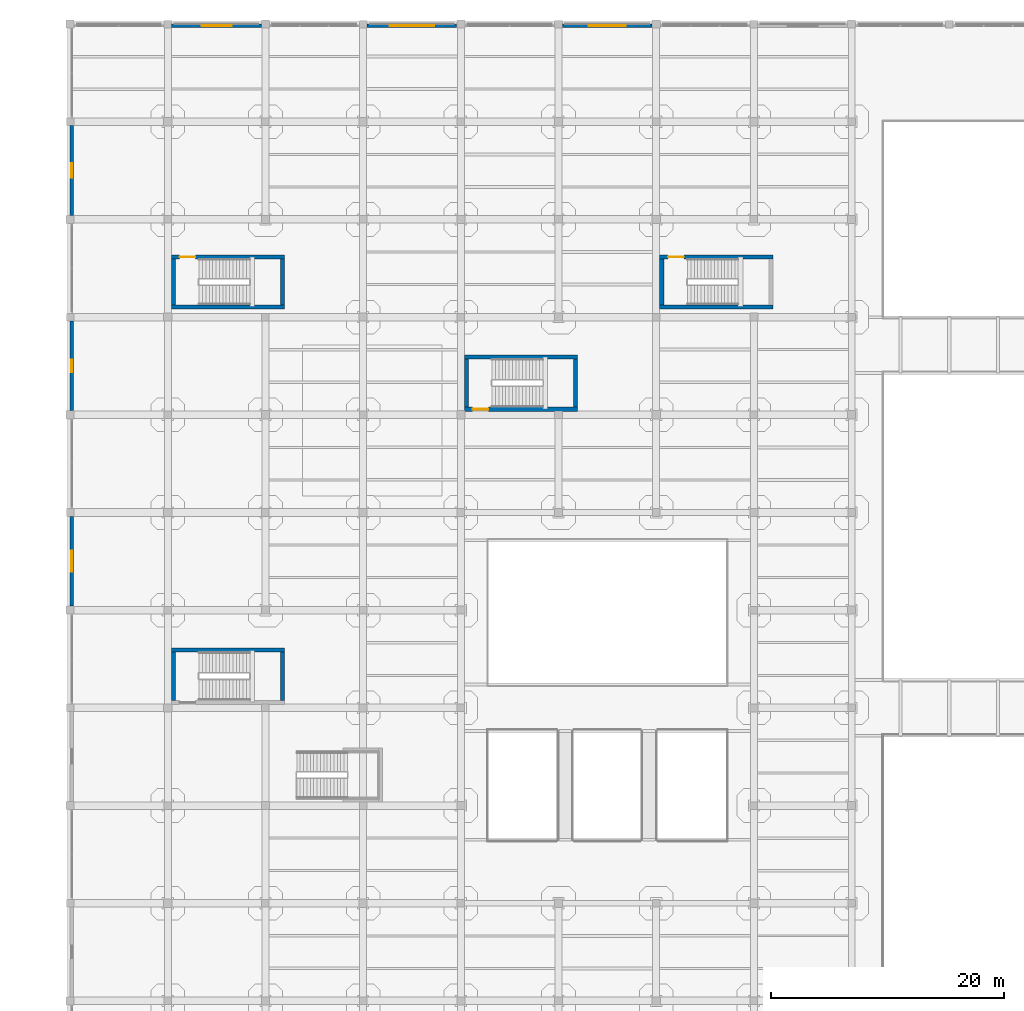
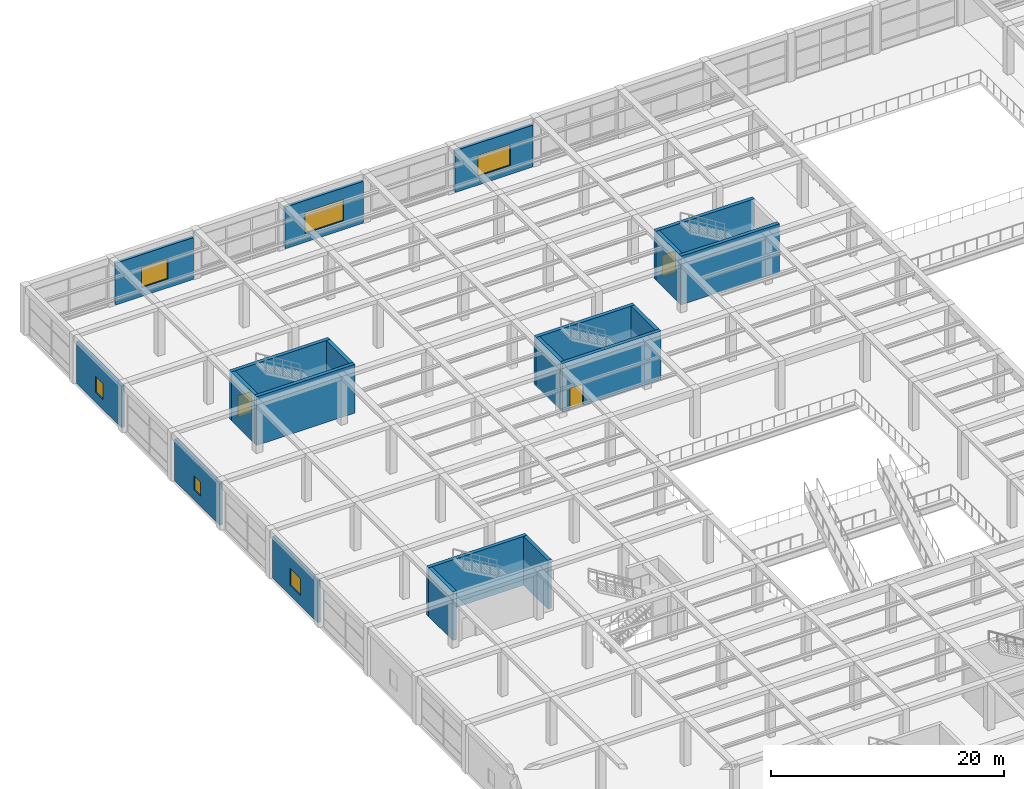
# One storey, part 79 of 96: 20 walls, 6 windows, 3 doors, 9 openings.
"""IFC4 building model written with IfcOpenShell, lengths in metres."""

from ifc_helpers import new_model, si_unit, direction, frame, frame_2d, origin, place, context, subcontext, project, spatial, rectangle, extrude, material, layer, layer_set, type_object, element, fill, save


model = new_model("IFC4")

# Units and contexts
model_context = context("Model", 3, precision=1e-05, world=origin(), true_north=direction((0.0, 1.0)))
body_context = subcontext(model_context, "Body", "Model", "MODEL_VIEW")
ifc_project = project(units=[si_unit("LENGTHUNIT", "METRE"), si_unit("AREAUNIT", "SQUARE_METRE"), si_unit("VOLUMEUNIT", "CUBIC_METRE"), si_unit("PLANEANGLEUNIT", "RADIAN"), si_unit("MASSUNIT", "GRAM", prefix="KILO")], contexts=[model_context])

# Site, building, storey
site_placement = place(None, origin())
site = spatial("IfcSite", under=ifc_project, at=site_placement, CompositionType="ELEMENT")
building_placement = place(site_placement, origin())
building = spatial("IfcBuilding", under=site, at=building_placement, Name="Almacenes y Pasaje Nevantli", CompositionType="ELEMENT")
storey_placement = place(building_placement, frame((0.0, 0.0, 6.0)))
storey = spatial("IfcBuildingStorey", under=building, at=storey_placement, Name="L02", CompositionType="ELEMENT", Elevation=6.0)

# Wall
ifc_material_1 = material(Name="Concrete C45/55", Category="concrete")
ifc_layer_1 = layer(ifc_material_1, 0.35009765625)
ifc_layer_set_1 = layer_set([ifc_layer_1], Name="Concrete C45/55")
wall_type_1 = type_object("IfcWallType", Name="WL-CORE-350", PredefinedType="SHEAR", material=ifc_layer_set_1)
wall_1_placement = place(storey_placement, frame((8.699951171875, 93.27490234375, 0.0), z_axis=(0.0, 0.0, 1.0), x_axis=(1.0, 0.0, 0.0)))
element("IfcWall", 1, at=wall_1_placement, inside=storey, type_object=wall_type_1, Name="L02 Exit Stair ST-03 South Core Shear Wall", PredefinedType="SHEAR", context=body_context, shape_type="SweptSolid", body=[
    extrude(rectangle(XDim=9.75, YDim=0.35009765625, at=frame_2d((4.875, 0.0))), origin(), (0.0, 0.0, 1.0), 5.10009765625),
])

# Wall, opening, door
wall_2_placement = place(storey_placement, frame((8.699951171875, 97.574951171875, 0.0), z_axis=(0.0, 0.0, 1.0), x_axis=(1.0, 0.0, 0.0)))
wall_2 = element("IfcWall", 2, at=wall_2_placement, inside=storey, type_object=wall_type_1, Name="L02 Exit Stair ST-03 North Core Shear Wall", PredefinedType="SHEAR", context=body_context, shape_type="SweptSolid", body=[
    extrude(rectangle(XDim=9.75, YDim=0.35009765625, at=frame_2d((4.875, 0.0))), origin(), (0.0, 0.0, 1.0), 5.10009765625),
])
opening_1_placement = place(wall_2_placement, frame((0.719970703125, 0.0, 0.0)))
opening_1 = element("IfcOpeningElement", 3, at=opening_1_placement, cuts=wall_2, Name="Opening SD-03-L02", PredefinedType="OPENING", context=body_context, shape_type="SweptSolid", body=[
    extrude(rectangle(XDim=1.35009765625, YDim=2.25, at=frame_2d((0.675048828125, 1.125))), frame((0.0, 0.18505859375, 0.0), z_axis=(0.0, -1.0, 0.0), x_axis=(1.0, 0.0, 0.0)), (0.0, 0.0, 1.0), 0.3701171875),
])
ifc_material_2 = material(Name="Galvanized Fire-Rated Steel", Category="steel")
door_type = type_object("IfcDoorType", Name="DR-STAIR-1350", OperationType="SINGLE_SWING_LEFT", PredefinedType="DOOR", material=ifc_material_2)
door_1_placement = place(opening_1_placement, origin())
door_1 = element("IfcDoor", 4, at=door_1_placement, inside=storey, type_object=door_type, Name="L02 Smokeproof Exit Stair ST-03 Fire Door", OperationType="SINGLE_SWING_LEFT", OverallHeight=2.25, OverallWidth=1.35009765625, PredefinedType="DOOR", context=body_context, shape_type="SweptSolid", body=[
    extrude(rectangle(XDim=1.35009765625, YDim=2.25, at=frame_2d((0.675048828125, 1.125))), frame((0.0, 0.02490234375, 0.0), z_axis=(0.0, -1.0, 0.0), x_axis=(1.0, 0.0, 0.0)), (0.0, 0.0, 1.0), 0.050048828125),
])
fill(opening_1, door_1)

# Walls
for number, where, z_axis, x_axis, name in (
    (5, (8.875, 93.449951171875, 0.0), (0.0, 0.0, 1.0), (0.0, 1.0, 0.0), "L02 Exit Stair ST-03 West Core Shear Wall"),
    (6, (18.27490234375, 93.449951171875, 0.0), (0.0, 0.0, 1.0), (0.0, 1.0, 0.0), "L02 Exit Stair ST-03 East Core Shear Wall"),
):
    element("IfcWall", number, at=place(storey_placement, frame(where, z_axis=z_axis, x_axis=x_axis)), inside=storey, type_object=wall_type_1, Name=name, PredefinedType="SHEAR", context=body_context, shape_type="SweptSolid", body=[
        extrude(rectangle(XDim=3.949951171875, YDim=0.35009765625, at=frame_2d((1.97509765625, 0.0))), origin(), (0.0, 0.0, 1.0), 5.10009765625),
    ])
wall_3_placement = place(storey_placement, frame((50.699951171875, 93.27490234375, 0.0), z_axis=(0.0, 0.0, 1.0), x_axis=(1.0, 0.0, 0.0)))
element("IfcWall", 7, at=wall_3_placement, inside=storey, type_object=wall_type_1, Name="L02 Exit Stair ST-05 South Core Shear Wall", PredefinedType="SHEAR", context=body_context, shape_type="SweptSolid", body=[
    extrude(rectangle(XDim=9.75, YDim=0.35009765625, at=frame_2d((4.875, 0.0))), origin(), (0.0, 0.0, 1.0), 5.10009765625),
])

# Wall, opening, door
wall_4_placement = place(storey_placement, frame((50.699951171875, 97.574951171875, 0.0), z_axis=(0.0, 0.0, 1.0), x_axis=(1.0, 0.0, 0.0)))
wall_4 = element("IfcWall", 8, at=wall_4_placement, inside=storey, type_object=wall_type_1, Name="L02 Exit Stair ST-05 North Core Shear Wall", PredefinedType="SHEAR", context=body_context, shape_type="SweptSolid", body=[
    extrude(rectangle(XDim=9.75, YDim=0.35009765625, at=frame_2d((4.875, 0.0))), origin(), (0.0, 0.0, 1.0), 5.10009765625),
])
opening_2_placement = place(wall_4_placement, frame((0.719970703125, 0.0, 0.0)))
opening_2 = element("IfcOpeningElement", 9, at=opening_2_placement, cuts=wall_4, Name="Opening SD-05-L02", PredefinedType="OPENING", context=body_context, shape_type="SweptSolid", body=[
    extrude(rectangle(XDim=1.35009765625, YDim=2.25, at=frame_2d((0.675048828125, 1.125))), frame((0.0, 0.18505859375, 0.0), z_axis=(0.0, -1.0, 0.0), x_axis=(1.0, 0.0, 0.0)), (0.0, 0.0, 1.0), 0.3701171875),
])
door_2_placement = place(opening_2_placement, origin())
door_2 = element("IfcDoor", 10, at=door_2_placement, inside=storey, type_object=door_type, Name="L02 Smokeproof Exit Stair ST-05 Fire Door", OperationType="SINGLE_SWING_LEFT", OverallHeight=2.25, OverallWidth=1.35009765625, PredefinedType="DOOR", context=body_context, shape_type="SweptSolid", body=[
    extrude(rectangle(XDim=1.35009765625, YDim=2.25, at=frame_2d((0.675048828125, 1.125))), frame((0.0, 0.02490234375, 0.0), z_axis=(0.0, -1.0, 0.0), x_axis=(1.0, 0.0, 0.0)), (0.0, 0.0, 1.0), 0.050048828125),
])
fill(opening_2, door_2)

# Walls
wall_5_placement = place(storey_placement, frame((50.875, 93.449951171875, 0.0), z_axis=(0.0, 0.0, 1.0), x_axis=(0.0, 1.0, 0.0)))
element("IfcWall", 11, at=wall_5_placement, inside=storey, type_object=wall_type_1, Name="L02 Exit Stair ST-05 West Core Shear Wall", PredefinedType="SHEAR", context=body_context, shape_type="SweptSolid", body=[
    extrude(rectangle(XDim=3.949951171875, YDim=0.35009765625, at=frame_2d((1.97509765625, 0.0))), origin(), (0.0, 0.0, 1.0), 5.10009765625),
])
wall_6_placement = place(storey_placement, frame((8.699951171875, 63.77490234375, 0.0), z_axis=(0.0, 0.0, 1.0), x_axis=(1.0, 0.0, 0.0)))
element("IfcWall", 12, at=wall_6_placement, inside=storey, type_object=wall_type_1, Name="L02 Exit Stair ST-12 North Core Shear Wall", PredefinedType="SHEAR", context=body_context, shape_type="SweptSolid", body=[
    extrude(rectangle(XDim=9.75, YDim=0.35009765625, at=frame_2d((4.875, 0.0))), origin(), (0.0, 0.0, 1.0), 5.10009765625),
])
for number, where, z_axis, x_axis, name in (
    (13, (8.875, 59.449951171875, 0.0), (0.0, 0.0, 1.0), (0.0, 1.0, 0.0), "L02 Exit Stair ST-12 West Core Shear Wall"),
    (14, (18.27490234375, 59.449951171875, 0.0), (0.0, 0.0, 1.0), (0.0, 1.0, 0.0), "L02 Exit Stair ST-12 East Core Shear Wall"),
):
    element("IfcWall", number, at=place(storey_placement, frame(where, z_axis=z_axis, x_axis=x_axis)), inside=storey, type_object=wall_type_1, Name=name, PredefinedType="SHEAR", context=body_context, shape_type="SweptSolid", body=[
        extrude(rectangle(XDim=4.150146484375, YDim=0.35009765625, at=frame_2d((2.0751953125, 0.0))), origin(), (0.0, 0.0, 1.0), 5.10009765625),
    ])

# Wall, opening, door
wall_7_placement = place(storey_placement, frame((33.89990234375, 84.47509765625, 0.0), z_axis=(0.0, 0.0, 1.0), x_axis=(1.0, 0.0, 0.0)))
wall_7 = element("IfcWall", 15, at=wall_7_placement, inside=storey, type_object=wall_type_1, Name="L02 Exit Stair ST-15 South Core Shear Wall", PredefinedType="SHEAR", context=body_context, shape_type="SweptSolid", body=[
    extrude(rectangle(XDim=9.75, YDim=0.35009765625, at=frame_2d((4.875, 0.0))), origin(), (0.0, 0.0, 1.0), 5.10009765625),
])
opening_3_placement = place(wall_7_placement, frame((0.719970703125, 0.0, 0.0)))
opening_3 = element("IfcOpeningElement", 16, at=opening_3_placement, cuts=wall_7, Name="Opening SD-15-L02", PredefinedType="OPENING", context=body_context, shape_type="SweptSolid", body=[
    extrude(rectangle(XDim=1.35009765625, YDim=2.25, at=frame_2d((0.675048828125, 1.125))), frame((0.0, 0.18505859375, 0.0), z_axis=(0.0, -1.0, 0.0), x_axis=(1.0, 0.0, 0.0)), (0.0, 0.0, 1.0), 0.3701171875),
])
door_3_placement = place(opening_3_placement, origin())
door_3 = element("IfcDoor", 17, at=door_3_placement, inside=storey, type_object=door_type, Name="L02 Smokeproof Exit Stair ST-15 Fire Door", OperationType="SINGLE_SWING_LEFT", OverallHeight=2.25, OverallWidth=1.35009765625, PredefinedType="DOOR", context=body_context, shape_type="SweptSolid", body=[
    extrude(rectangle(XDim=1.35009765625, YDim=2.25, at=frame_2d((0.675048828125, 1.125))), frame((0.0, 0.02490234375, 0.0), z_axis=(0.0, -1.0, 0.0), x_axis=(1.0, 0.0, 0.0)), (0.0, 0.0, 1.0), 0.050048828125),
])
fill(opening_3, door_3)

# Walls
wall_8_placement = place(storey_placement, frame((33.89990234375, 88.97509765625, 0.0), z_axis=(0.0, 0.0, 1.0), x_axis=(1.0, 0.0, 0.0)))
element("IfcWall", 18, at=wall_8_placement, inside=storey, type_object=wall_type_1, Name="L02 Exit Stair ST-15 North Core Shear Wall", PredefinedType="SHEAR", context=body_context, shape_type="SweptSolid", body=[
    extrude(rectangle(XDim=9.75, YDim=0.35009765625, at=frame_2d((4.875, 0.0))), origin(), (0.0, 0.0, 1.0), 5.10009765625),
])
for number, where, z_axis, x_axis, name in (
    (19, (34.074951171875, 84.64990234375, 0.0), (0.0, 0.0, 1.0), (0.0, 1.0, 0.0), "L02 Exit Stair ST-15 West Core Shear Wall"),
    (20, (43.47509765625, 84.64990234375, 0.0), (0.0, 0.0, 1.0), (0.0, 1.0, 0.0), "L02 Exit Stair ST-15 East Core Shear Wall"),
):
    element("IfcWall", number, at=place(storey_placement, frame(where, z_axis=z_axis, x_axis=x_axis)), inside=storey, type_object=wall_type_1, Name=name, PredefinedType="SHEAR", context=body_context, shape_type="SweptSolid", body=[
        extrude(rectangle(XDim=4.150146484375, YDim=0.35009765625, at=frame_2d((2.0751953125, 0.0))), origin(), (0.0, 0.0, 1.0), 5.10009765625),
    ])

# Wall, opening, window
ifc_material_3 = material(Name="Architectural Precast Concrete C35/45 Spandrel Wall", Category="concrete")
ifc_layer_2 = layer(ifc_material_3, 0.280029296875)
ifc_layer_set_2 = layer_set([ifc_layer_2], Name="Architectural Precast Concrete C35/45 Spandrel Wall")
wall_type_2 = type_object("IfcWallType", Name="WL-EXT-CANTERA-280", PredefinedType="SOLIDWALL", material=ifc_layer_set_2)
wall_9_placement = place(storey_placement, frame((8.72802734375, 117.449951171875, 0.0), z_axis=(0.0, 0.0, 1.0), x_axis=(1.0, 0.0, 0.0)))
wall_9 = element("IfcWall", 21, at=wall_9_placement, inside=storey, type_object=wall_type_2, Name="L02 North Boulevard Cantera Spandrel Wall Bay 2", PredefinedType="SOLIDWALL", context=body_context, shape_type="SweptSolid", body=[
    extrude(rectangle(XDim=7.718017578125, YDim=0.280029296875, at=frame_2d((3.85888671875, 0.0))), origin(), (0.0, 0.0, 1.0), 4.3798828125),
])
opening_4_placement = place(wall_9_placement, frame((2.572021484375, 0.0, 0.949951171875)))
opening_4 = element("IfcOpeningElement", 22, at=opening_4_placement, cuts=wall_9, Name="Opening WT-13-052", PredefinedType="OPENING", context=body_context, shape_type="SweptSolid", body=[
    extrude(rectangle(XDim=2.60009765625, YDim=2.10009765625, at=frame_2d((1.300048828125, 1.050048828125))), frame((0.0, 0.14990234375, 0.0), z_axis=(0.0, -1.0, 0.0), x_axis=(1.0, 0.0, 0.0)), (0.0, 0.0, 1.0), 0.300048828125),
])
ifc_material_4 = material(Name="Thermally Broken Aluminium and Low-E Double Glazing", Category="aluminium")
window_type_1 = type_object("IfcWindowType", Name="WN-POD-2600x2100", PartitioningType="SINGLE_PANEL", PredefinedType="WINDOW", material=ifc_material_4)
window_1_placement = place(opening_4_placement, origin())
window_1 = element("IfcWindow", 23, at=window_1_placement, inside=storey, type_object=window_type_1, Name="L02 Exterior Window WT-13 #52", OverallHeight=2.10009765625, OverallWidth=2.60009765625, PartitioningType="SINGLE_PANEL", PredefinedType="WINDOW", context=body_context, shape_type="SweptSolid", body=[
    extrude(rectangle(XDim=2.60009765625, YDim=2.10009765625, at=frame_2d((1.300048828125, 1.050048828125))), frame((0.0, 0.030029296875, 0.0), z_axis=(0.0, -1.0, 0.0), x_axis=(1.0, 0.0, 0.0)), (0.0, 0.0, 1.0), 0.06005859375),
])
fill(opening_4, window_1)

wall_10_placement = place(storey_placement, frame((25.528076171875, 117.449951171875, 0.0), z_axis=(0.0, 0.0, 1.0), x_axis=(1.0, 0.0, 0.0)))
wall_10 = element("IfcWall", 24, at=wall_10_placement, inside=storey, type_object=wall_type_2, Name="L02 North Boulevard Cantera Spandrel Wall Bay 4", PredefinedType="SOLIDWALL", context=body_context, shape_type="SweptSolid", body=[
    extrude(rectangle(XDim=7.719970703125, YDim=0.280029296875, at=frame_2d((3.85986328125, 0.0))), origin(), (0.0, 0.0, 1.0), 4.3798828125),
])
opening_5_placement = place(wall_10_placement, frame((1.971923828125, 0.0, 0.949951171875)))
opening_5 = element("IfcOpeningElement", 25, at=opening_5_placement, cuts=wall_10, Name="Opening WT-09-053", PredefinedType="OPENING", context=body_context, shape_type="SweptSolid", body=[
    extrude(rectangle(XDim=3.800048828125, YDim=2.199951171875, at=frame_2d((1.89990234375, 1.10009765625))), frame((0.0, 0.14990234375, 0.0), z_axis=(0.0, -1.0, 0.0), x_axis=(1.0, 0.0, 0.0)), (0.0, 0.0, 1.0), 0.300048828125),
])
ifc_material_5 = material(Name="Thermally Broken Aluminium and Low-E Double Glazing", Category="aluminium")
window_type_2 = type_object("IfcWindowType", Name="WN-POD-3800x2200", PartitioningType="SINGLE_PANEL", PredefinedType="WINDOW", material=ifc_material_5)
window_2_placement = place(opening_5_placement, origin())
window_2 = element("IfcWindow", 26, at=window_2_placement, inside=storey, type_object=window_type_2, Name="L02 Exterior Window WT-09 #53", OverallHeight=2.199951171875, OverallWidth=3.800048828125, PartitioningType="SINGLE_PANEL", PredefinedType="WINDOW", context=body_context, shape_type="SweptSolid", body=[
    extrude(rectangle(XDim=3.800048828125, YDim=2.199951171875, at=frame_2d((1.89990234375, 1.10009765625))), frame((0.0, 0.030029296875, 0.0), z_axis=(0.0, -1.0, 0.0), x_axis=(1.0, 0.0, 0.0)), (0.0, 0.0, 1.0), 0.06005859375),
])
fill(opening_5, window_2)

wall_11_placement = place(storey_placement, frame((42.327880859375, 117.449951171875, 0.0), z_axis=(0.0, 0.0, 1.0), x_axis=(1.0, 0.0, 0.0)))
wall_11 = element("IfcWall", 27, at=wall_11_placement, inside=storey, type_object=wall_type_2, Name="L02 North Boulevard Cantera Spandrel Wall Bay 6", PredefinedType="SOLIDWALL", context=body_context, shape_type="SweptSolid", body=[
    extrude(rectangle(XDim=7.718017578125, YDim=0.280029296875, at=frame_2d((3.85888671875, 0.0))), origin(), (0.0, 0.0, 1.0), 4.3798828125),
])
opening_6_placement = place(wall_11_placement, frame((2.27197265625, 0.0, 0.949951171875)))
opening_6 = element("IfcOpeningElement", 28, at=opening_6_placement, cuts=wall_11, Name="Opening WT-11-054", PredefinedType="OPENING", context=body_context, shape_type="SweptSolid", body=[
    extrude(rectangle(XDim=3.199951171875, YDim=2.14990234375, at=frame_2d((1.60009765625, 1.074951171875))), frame((0.0, 0.14990234375, 0.0), z_axis=(0.0, -1.0, 0.0), x_axis=(1.0, 0.0, 0.0)), (0.0, 0.0, 1.0), 0.300048828125),
])
ifc_material_6 = material(Name="Thermally Broken Aluminium and Low-E Double Glazing", Category="aluminium")
window_type_3 = type_object("IfcWindowType", Name="WN-POD-3200x2150", PartitioningType="SINGLE_PANEL", PredefinedType="WINDOW", material=ifc_material_6)
window_3_placement = place(opening_6_placement, origin())
window_3 = element("IfcWindow", 29, at=window_3_placement, inside=storey, type_object=window_type_3, Name="L02 Exterior Window WT-11 #54", OverallHeight=2.14990234375, OverallWidth=3.199951171875, PartitioningType="SINGLE_PANEL", PredefinedType="WINDOW", context=body_context, shape_type="SweptSolid", body=[
    extrude(rectangle(XDim=3.199951171875, YDim=2.14990234375, at=frame_2d((1.60009765625, 1.074951171875))), frame((0.0, 0.030029296875, 0.0), z_axis=(0.0, -1.0, 0.0), x_axis=(1.0, 0.0, 0.0)), (0.0, 0.0, 1.0), 0.06005859375),
])
fill(opening_6, window_3)

wall_12_placement = place(storey_placement, frame((0.14990234375, 67.552001953125, 0.0), z_axis=(0.0, 0.0, 1.0), x_axis=(0.0, 1.0, 0.0)))
wall_12 = element("IfcWall", 30, at=wall_12_placement, inside=storey, type_object=wall_type_2, Name="L02 West Avenue Cantera Wall Bay 9", PredefinedType="SOLIDWALL", context=body_context, shape_type="SweptSolid", body=[
    extrude(rectangle(XDim=7.719970703125, YDim=0.280029296875, at=frame_2d((3.85986328125, 0.0))), origin(), (0.0, 0.0, 1.0), 4.3798828125),
])
opening_7_placement = place(wall_12_placement, frame((2.947998046875, 0.0, 1.050048828125)))
opening_7 = element("IfcOpeningElement", 31, at=opening_7_placement, cuts=wall_12, Name="Opening WT-07-077", PredefinedType="OPENING", context=body_context, shape_type="SweptSolid", body=[
    extrude(rectangle(XDim=1.800048828125, YDim=1.800048828125, at=frame_2d((0.89990234375, 0.89990234375))), frame((0.0, 0.14990234375, 0.0), z_axis=(0.0, -1.0, 0.0), x_axis=(1.0, 0.0, 0.0)), (0.0, 0.0, 1.0), 0.300048828125),
])
ifc_material_7 = material(Name="Thermally Broken Aluminium and Low-E Double Glazing", Category="aluminium")
window_type_4 = type_object("IfcWindowType", Name="WN-OCU-1800", PartitioningType="SINGLE_PANEL", PredefinedType="WINDOW", material=ifc_material_7)
window_4_placement = place(opening_7_placement, origin())
window_4 = element("IfcWindow", 32, at=window_4_placement, inside=storey, type_object=window_type_4, Name="L02 Exterior Window WT-07 #77", OverallHeight=1.800048828125, OverallWidth=1.800048828125, PartitioningType="SINGLE_PANEL", PredefinedType="WINDOW", context=body_context, shape_type="SweptSolid", body=[
    extrude(rectangle(XDim=1.800048828125, YDim=1.800048828125, at=frame_2d((0.89990234375, 0.89990234375))), frame((0.0, 0.030029296875, 0.0), z_axis=(0.0, -1.0, 0.0), x_axis=(1.0, 0.0, 0.0)), (0.0, 0.0, 1.0), 0.06005859375),
])
fill(opening_7, window_4)

wall_13_placement = place(storey_placement, frame((0.14990234375, 84.35205078125, 0.0), z_axis=(0.0, 0.0, 1.0), x_axis=(0.0, 1.0, 0.0)))
wall_13 = element("IfcWall", 33, at=wall_13_placement, inside=storey, type_object=wall_type_2, Name="L02 West Avenue Cantera Wall Bay 11", PredefinedType="SOLIDWALL", context=body_context, shape_type="SweptSolid", body=[
    extrude(rectangle(XDim=7.719970703125, YDim=0.280029296875, at=frame_2d((3.85986328125, 0.0))), origin(), (0.0, 0.0, 1.0), 4.3798828125),
])
opening_8_placement = place(wall_13_placement, frame((3.298095703125, 0.0, 1.050048828125)))
opening_8 = element("IfcOpeningElement", 34, at=opening_8_placement, cuts=wall_13, Name="Opening WT-19-078", PredefinedType="OPENING", context=body_context, shape_type="SweptSolid", body=[
    extrude(rectangle(XDim=1.10009765625, YDim=1.5, at=frame_2d((0.550048828125, 0.75))), frame((0.0, 0.14990234375, 0.0), z_axis=(0.0, -1.0, 0.0), x_axis=(1.0, 0.0, 0.0)), (0.0, 0.0, 1.0), 0.300048828125),
])
ifc_material_8 = material(Name="Thermally Broken Aluminium and Low-E Double Glazing", Category="aluminium")
window_type_5 = type_object("IfcWindowType", Name="WN-POD-1100x1500", PartitioningType="SINGLE_PANEL", PredefinedType="WINDOW", material=ifc_material_8)
window_5_placement = place(opening_8_placement, origin())
window_5 = element("IfcWindow", 35, at=window_5_placement, inside=storey, type_object=window_type_5, Name="L02 Exterior Window WT-19 #78", OverallHeight=1.5, OverallWidth=1.10009765625, PartitioningType="SINGLE_PANEL", PredefinedType="WINDOW", context=body_context, shape_type="SweptSolid", body=[
    extrude(rectangle(XDim=1.10009765625, YDim=1.5, at=frame_2d((0.550048828125, 0.75))), frame((0.0, 0.030029296875, 0.0), z_axis=(0.0, -1.0, 0.0), x_axis=(1.0, 0.0, 0.0)), (0.0, 0.0, 1.0), 0.06005859375),
])
fill(opening_8, window_5)

wall_14_placement = place(storey_placement, frame((0.14990234375, 101.152099609375, 0.0), z_axis=(0.0, 0.0, 1.0), x_axis=(0.0, 1.0, 0.0)))
wall_14 = element("IfcWall", 36, at=wall_14_placement, inside=storey, type_object=wall_type_2, Name="L02 West Avenue Cantera Wall Bay 13", PredefinedType="SOLIDWALL", context=body_context, shape_type="SweptSolid", body=[
    extrude(rectangle(XDim=7.719970703125, YDim=0.280029296875, at=frame_2d((3.85986328125, 0.0))), origin(), (0.0, 0.0, 1.0), 4.3798828125),
])
opening_9_placement = place(wall_14_placement, frame((3.222900390625, 0.0, 1.050048828125)))
opening_9 = element("IfcOpeningElement", 37, at=opening_9_placement, cuts=wall_14, Name="Opening WT-18-079", PredefinedType="OPENING", context=body_context, shape_type="SweptSolid", body=[
    extrude(rectangle(XDim=1.25, YDim=1.64990234375, at=frame_2d((0.625, 0.824951171875))), frame((0.0, 0.14990234375, 0.0), z_axis=(0.0, -1.0, 0.0), x_axis=(1.0, 0.0, 0.0)), (0.0, 0.0, 1.0), 0.300048828125),
])
ifc_material_9 = material(Name="Thermally Broken Aluminium and Low-E Double Glazing", Category="aluminium")
window_type_6 = type_object("IfcWindowType", Name="WN-POD-1250x1650", PartitioningType="SINGLE_PANEL", PredefinedType="WINDOW", material=ifc_material_9)
window_6_placement = place(opening_9_placement, origin())
window_6 = element("IfcWindow", 38, at=window_6_placement, inside=storey, type_object=window_type_6, Name="L02 Exterior Window WT-18 #79", OverallHeight=1.64990234375, OverallWidth=1.25, PartitioningType="SINGLE_PANEL", PredefinedType="WINDOW", context=body_context, shape_type="SweptSolid", body=[
    extrude(rectangle(XDim=1.25, YDim=1.64990234375, at=frame_2d((0.625, 0.824951171875))), frame((0.0, 0.030029296875, 0.0), z_axis=(0.0, -1.0, 0.0), x_axis=(1.0, 0.0, 0.0)), (0.0, 0.0, 1.0), 0.06005859375),
])
fill(opening_9, window_6)

save(model, "model.ifc")
